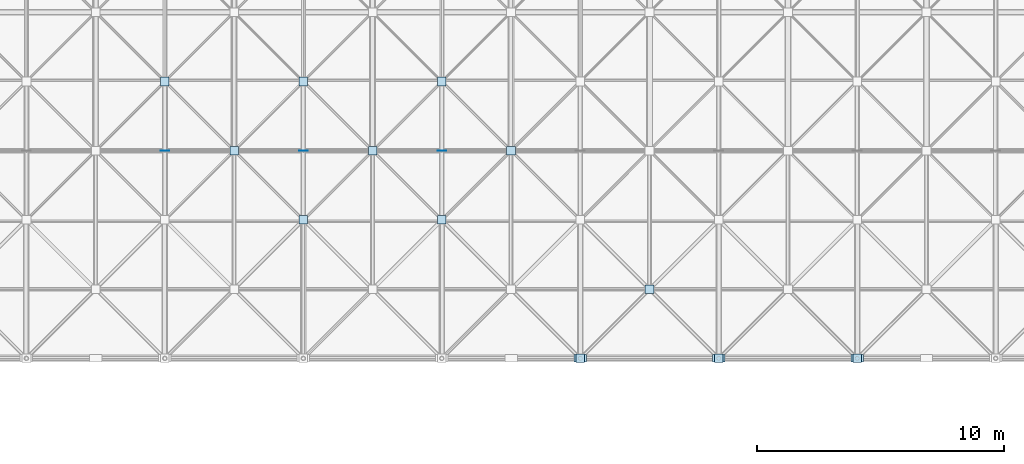
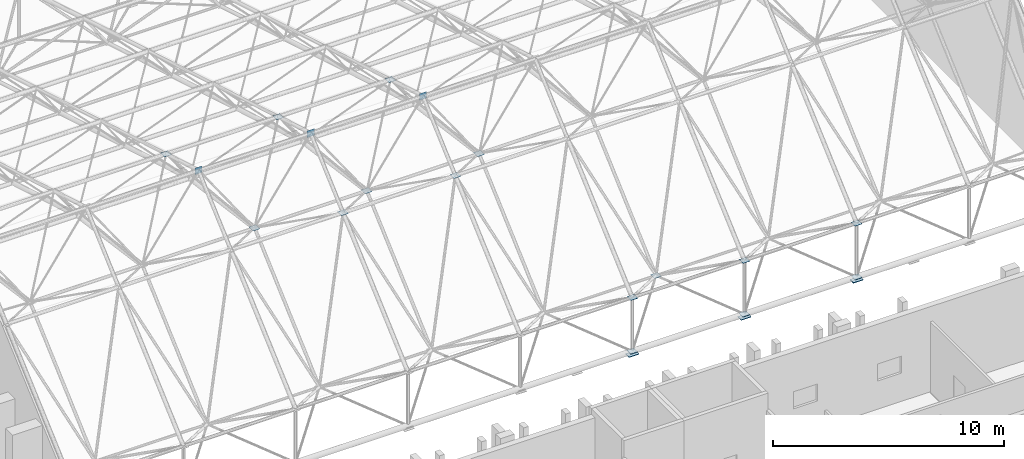
# One storey, part 59 of 100: 21 plates.
"""IFC4 building model written with IfcOpenShell, lengths in metres."""

from ifc_helpers import new_model, si_unit, direction, frame, origin, origin_2d, place, context, subcontext, project, spatial, rectangle, extrude, material, layer, layer_set, type_object, element, save


model = new_model("IFC4")

# Units and contexts
model_context = context("Model", 3, precision=1e-05, world=origin(), true_north=direction((0.0, 1.0)))
body_context = subcontext(model_context, "Body", "Model", "MODEL_VIEW")
ifc_project = project(units=[si_unit("LENGTHUNIT", "METRE"), si_unit("AREAUNIT", "SQUARE_METRE"), si_unit("VOLUMEUNIT", "CUBIC_METRE"), si_unit("PLANEANGLEUNIT", "RADIAN"), si_unit("MASSUNIT", "GRAM", prefix="KILO")], contexts=[model_context])

# Site, building, storey
site_placement = place(None, origin())
site = spatial("IfcSite", under=ifc_project, at=site_placement, CompositionType="ELEMENT")
building_placement = place(site_placement, origin())
building = spatial("IfcBuilding", under=site, at=building_placement, Name="Kiln Court Media Centre", CompositionType="ELEMENT")
storey_placement = place(building_placement, frame((0.0, 0.0, 15.0)))
storey = spatial("IfcBuildingStorey", under=building, at=storey_placement, Name="L03", CompositionType="ELEMENT", Elevation=15.0)

# Plates
ifc_material_1 = material(Name="Steel ASTM A572 Gr 50", Category="steel")
ifc_layer_1 = layer(ifc_material_1, 0.010009765625)
ifc_layer_set_1 = layer_set([ifc_layer_1], Name="Steel ASTM A572 Gr 50 350x350x10 connection plate V2")
plate_type_1 = type_object("IfcPlateType", Name="Steel ASTM A572 Gr 50 350x350x10 connection plate V2", PredefinedType="USERDEFINED", material=ifc_layer_set_1)
plate_1_placement = place(storey_placement, frame((128.800048828125, 42.0, 10.324951171875), z_axis=(0.0, 0.0, 1.0), x_axis=(1.0, 0.0, 0.0)))
element("IfcPlate", 1, at=plate_1_placement, inside=storey, type_object=plate_type_1, Name="V2 node connection plate", ObjectType="CONNECTION PLATE", PredefinedType="USERDEFINED", context=body_context, shape_type="SweptSolid", body=[
    extrude(rectangle(XDim=0.35009765625, YDim=0.010009765625, at=origin_2d()), origin(), (0.0, 0.0, 1.0), 0.35009765625),
])
for number, where, z_axis, x_axis, name in (
    (2, (128.800048828125, 44.800048828125, 9.66162109375), (0.0, 0.0, 1.0), (1.0, 0.0, 0.0), "V2 node connection plate"),
    (3, (131.60009765625, 42.0, 6.47314453125), (0.0, 0.0, 1.0), (1.0, 0.0, 0.0), "V2 node connection plate"),
    (4, (134.39990234375, 39.199951171875, 7.9951171875), (0.0, 0.0, 1.0), (1.0, 0.0, 0.0), "V2 node connection plate"),
):
    element("IfcPlate", number, at=place(storey_placement, frame(where, z_axis=z_axis, x_axis=x_axis)), inside=storey, type_object=plate_type_1, Name=name, ObjectType="CONNECTION PLATE", PredefinedType="USERDEFINED", context=body_context, shape_type="SweptSolid", body=[
        extrude(rectangle(XDim=0.35009765625, YDim=0.35009765625, at=origin_2d()), origin(), (0.0, 0.0, 1.0), 0.010009765625),
    ])
plate_2_placement = place(storey_placement, frame((134.39990234375, 42.0, 10.324951171875), z_axis=(0.0, 0.0, 1.0), x_axis=(1.0, 0.0, 0.0)))
element("IfcPlate", 5, at=plate_2_placement, inside=storey, type_object=plate_type_1, Name="V2 node connection plate", ObjectType="CONNECTION PLATE", PredefinedType="USERDEFINED", context=body_context, shape_type="SweptSolid", body=[
    extrude(rectangle(XDim=0.35009765625, YDim=0.010009765625, at=origin_2d()), origin(), (0.0, 0.0, 1.0), 0.35009765625),
])
for number, where, z_axis, x_axis, name in (
    (6, (134.39990234375, 44.800048828125, 9.66162109375), (0.0, 0.0, 1.0), (1.0, 0.0, 0.0), "V2 node connection plate"),
    (7, (137.199951171875, 42.0, 6.47314453125), (0.0, 0.0, 1.0), (1.0, 0.0, 0.0), "V2 node connection plate"),
    (8, (140.0, 39.199951171875, 7.9951171875), (0.0, 0.0, 1.0), (1.0, 0.0, 0.0), "V2 node connection plate"),
):
    element("IfcPlate", number, at=place(storey_placement, frame(where, z_axis=z_axis, x_axis=x_axis)), inside=storey, type_object=plate_type_1, Name=name, ObjectType="CONNECTION PLATE", PredefinedType="USERDEFINED", context=body_context, shape_type="SweptSolid", body=[
        extrude(rectangle(XDim=0.35009765625, YDim=0.35009765625, at=origin_2d()), origin(), (0.0, 0.0, 1.0), 0.010009765625),
    ])
plate_3_placement = place(storey_placement, frame((140.0, 42.0, 10.324951171875), z_axis=(0.0, 0.0, 1.0), x_axis=(1.0, 0.0, 0.0)))
element("IfcPlate", 9, at=plate_3_placement, inside=storey, type_object=plate_type_1, Name="V2 node connection plate", ObjectType="CONNECTION PLATE", PredefinedType="USERDEFINED", context=body_context, shape_type="SweptSolid", body=[
    extrude(rectangle(XDim=0.35009765625, YDim=0.010009765625, at=origin_2d()), origin(), (0.0, 0.0, 1.0), 0.35009765625),
])
for number, where, z_axis, x_axis, name in (
    (10, (140.0, 44.800048828125, 9.66162109375), (0.0, 0.0, 1.0), (1.0, 0.0, 0.0), "V2 node connection plate"),
    (11, (142.800048828125, 42.0, 6.47314453125), (0.0, 0.0, 1.0), (1.0, 0.0, 0.0), "V2 node connection plate"),
    (12, (145.60009765625, 33.60009765625, 0.15966796875), (0.0, 0.0, 1.0), (1.0, 0.0, 0.0), "V2 node connection plate"),
    (13, (145.60009765625, 33.60009765625, 2.9951171875), (0.0, 0.0, 1.0), (1.0, 0.0, 0.0), "V2 node connection plate"),
    (14, (148.39990234375, 36.39990234375, 1.47314453125), (0.0, 0.0, 1.0), (1.0, 0.0, 0.0), "V2 node connection plate"),
    (15, (151.199951171875, 33.60009765625, 0.15966796875), (0.0, 0.0, 1.0), (1.0, 0.0, 0.0), "V2 node connection plate"),
    (16, (151.199951171875, 33.60009765625, 2.9951171875), (0.0, 0.0, 1.0), (1.0, 0.0, 0.0), "V2 node connection plate"),
    (17, (156.800048828125, 33.60009765625, 0.15966796875), (0.0, 0.0, 1.0), (1.0, 0.0, 0.0), "V2 node connection plate"),
    (18, (156.800048828125, 33.60009765625, 2.9951171875), (0.0, 0.0, 1.0), (1.0, 0.0, 0.0), "V2 node connection plate"),
):
    element("IfcPlate", number, at=place(storey_placement, frame(where, z_axis=z_axis, x_axis=x_axis)), inside=storey, type_object=plate_type_1, Name=name, ObjectType="CONNECTION PLATE", PredefinedType="USERDEFINED", context=body_context, shape_type="SweptSolid", body=[
        extrude(rectangle(XDim=0.35009765625, YDim=0.35009765625, at=origin_2d()), origin(), (0.0, 0.0, 1.0), 0.010009765625),
    ])
ifc_material_2 = material(Name="Steel ASTM A572 Gr 50", Category="steel")
ifc_layer_2 = layer(ifc_material_2, 0.030029296875)
ifc_layer_set_2 = layer_set([ifc_layer_2], Name="Steel ASTM A572 Gr 50 500x300x30 bearing plate")
plate_type_2 = type_object("IfcPlateType", Name="Steel ASTM A572 Gr 50 500x300x30 bearing plate", PredefinedType="USERDEFINED", material=ifc_layer_set_2)
for number, where, z_axis, x_axis, name in (
    (19, (145.60009765625, 33.60009765625, -0.001953125), (0.0, 0.0, 1.0), (1.0, 0.0, 0.0), "V2 roof bearing plate at node 145.6 33.6 bearing plate"),
    (20, (151.199951171875, 33.60009765625, -0.001953125), (0.0, 0.0, 1.0), (1.0, 0.0, 0.0), "V2 roof bearing plate at node 151.2 33.6 bearing plate"),
    (21, (156.800048828125, 33.60009765625, -0.001953125), (0.0, 0.0, 1.0), (1.0, 0.0, 0.0), "V2 roof bearing plate at node 156.8 33.6 bearing plate"),
):
    element("IfcPlate", number, at=place(storey_placement, frame(where, z_axis=z_axis, x_axis=x_axis)), inside=storey, type_object=plate_type_2, Name=name, ObjectType="BEARING PLATE", PredefinedType="USERDEFINED", context=body_context, shape_type="SweptSolid", body=[
        extrude(rectangle(XDim=0.5, YDim=0.300048828125, at=origin_2d()), origin(), (0.0, 0.0, 1.0), 0.030029296875),
    ])

save(model, "model.ifc")
